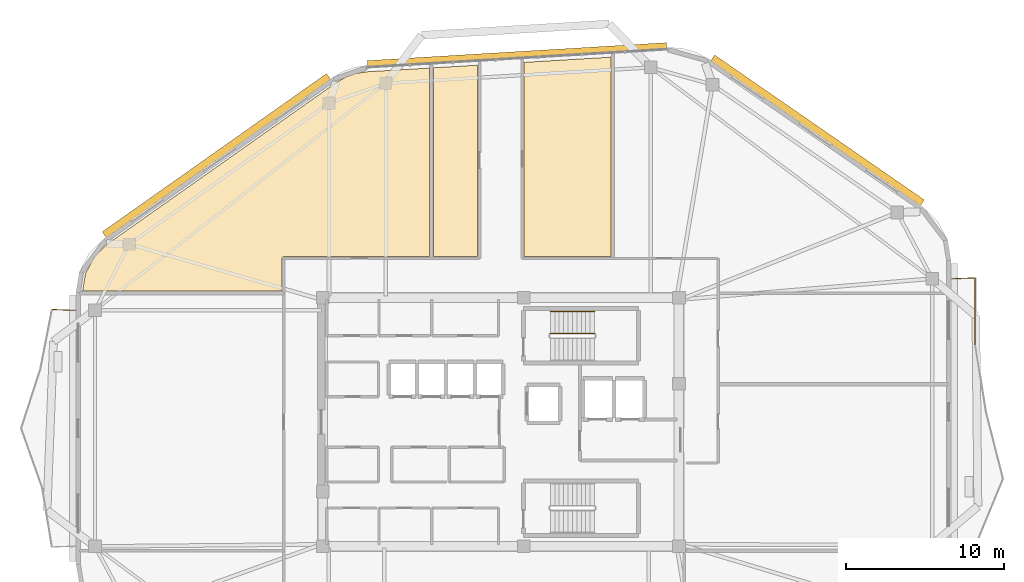
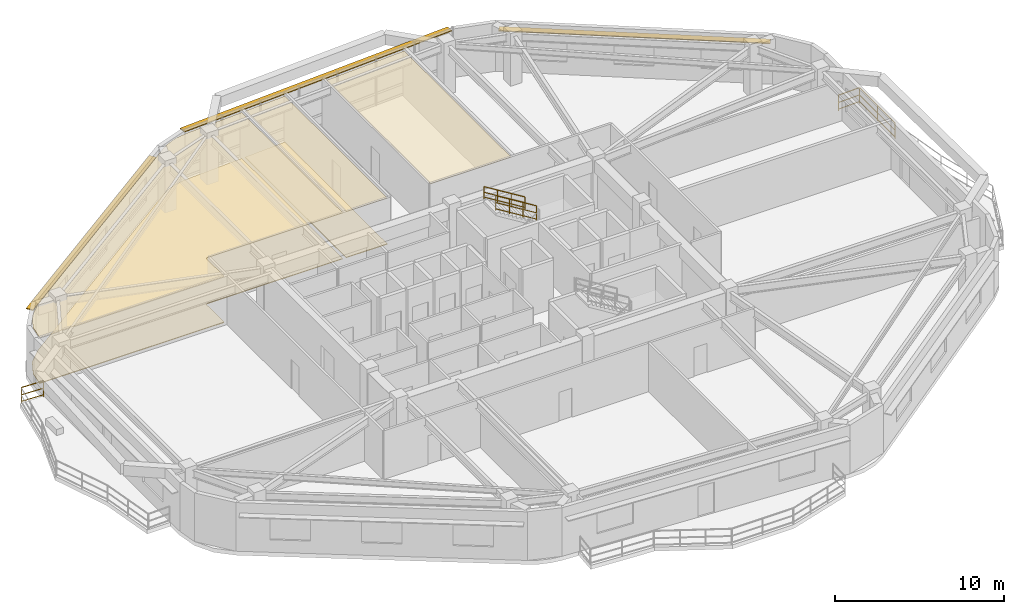
# One storey, part 12 of 12: 5 coverings, 5 railings, 3 shading devices.
"""IFC4 building model written with IfcOpenShell, lengths in metres."""

from ifc_helpers import new_model, si_unit, direction, frame, origin, origin_2d, place, context, subcontext, project, spatial, polyline, rectangle, outline, extrude, material, layer, layer_set, type_object, element, save


model = new_model("IFC4")

# Units and contexts
model_context = context("Model", 3, precision=1e-05, world=origin(), true_north=direction((0.0, 1.0)))
body_context = subcontext(model_context, "Body", "Model", "MODEL_VIEW")
ifc_project = project(units=[si_unit("LENGTHUNIT", "METRE"), si_unit("AREAUNIT", "SQUARE_METRE"), si_unit("VOLUMEUNIT", "CUBIC_METRE"), si_unit("PLANEANGLEUNIT", "RADIAN"), si_unit("MASSUNIT", "GRAM", prefix="KILO")], contexts=[model_context])

# Site, building, storey
site_placement = place(None, origin())
site = spatial("IfcSite", under=ifc_project, at=site_placement, CompositionType="ELEMENT")
building_placement = place(site_placement, origin())
building = spatial("IfcBuilding", under=site, at=building_placement, Name="Zulverin Broadcast Headquarters", CompositionType="ELEMENT")
storey_placement = place(building_placement, frame((0.0, 0.0, 240.199951171875)))
storey = spatial("IfcBuildingStorey", under=building, at=storey_placement, Name="L61", CompositionType="ELEMENT", Elevation=240.199951171875)

# Coverings
ifc_material_1 = material(Name="Perforated pale-metal acoustic baffle ceiling", Category="aluminium")
ifc_layer_1 = layer(ifc_material_1, 0.0400390625, Name="Perforated pale-metal acoustic baffle ceiling", Category="aluminium")
ifc_layer_set_1 = layer_set([ifc_layer_1], Name="Perforated pale-metal acoustic baffle ceiling")
covering_type_1 = type_object("IfcCoveringType", Name="COV-CEIL-ACOU", PredefinedType="CEILING", material=ifc_layer_set_1)
covering_1_placement = place(storey_placement, frame((0.0, 0.0, 3.330078125)))
element("IfcCovering", 1, at=covering_1_placement, inside=storey, type_object=covering_type_1, Name="L61 Acoustic Baffle Ceiling 01", PredefinedType="CEILING", context=body_context, shape_type="SweptSolid", body=[
    extrude(outline(polyline([(12.092041015625, 36.468017578125), (11.22802734375, 35.6240234375), (10.69189453125, 34.580078125), (10.51611328125, 33.5), (23.132080078125, 33.5), (23.132080078125, 35.552001953125), (23.132080078125, 35.56396484375), (23.135986328125, 35.575927734375), (23.135986328125, 35.587890625), (23.139892578125, 35.595947265625), (23.14794921875, 35.60791015625), (23.152099609375, 35.6201171875), (23.159912109375, 35.6279296875), (23.16796875, 35.635986328125), (23.176025390625, 35.64404296875), (23.18408203125, 35.652099609375), (23.196044921875, 35.656005859375), (23.2080078125, 35.6640625), (23.216064453125, 35.66796875), (23.22802734375, 35.66796875), (23.239990234375, 35.672119140625), (23.251953125, 35.672119140625), (32.47998046875, 35.672119140625), (32.47998046875, 47.60791015625), (28.52392578125, 47.3720703125), (27.827880859375, 47.26806640625), (27.18798828125, 47.0400390625), (26.575927734375, 46.69189453125), (12.092041015625, 36.468017578125)])), origin(), (0.0, 0.0, 1.0), 0.0400390625),
])
covering_2_placement = place(storey_placement, frame((0.0, 0.0, 3.330078125)))
element("IfcCovering", 2, at=covering_2_placement, inside=storey, type_object=covering_type_1, Name="L61 Acoustic Baffle Ceiling 02", PredefinedType="CEILING", context=body_context, shape_type="SweptSolid", body=[
    extrude(outline(polyline([(35.531982421875, 35.672119140625), (35.531982421875, 47.7919921875), (32.719970703125, 47.6240234375), (32.719970703125, 35.672119140625), (35.531982421875, 35.672119140625)])), origin(), (0.0, 0.0, 1.0), 0.0400390625),
])
covering_3_placement = place(storey_placement, frame((0.0, 0.0, 3.330078125)))
element("IfcCovering", 3, at=covering_3_placement, inside=storey, type_object=covering_type_1, Name="L61 Acoustic Baffle Ceiling 03", PredefinedType="CEILING", context=body_context, shape_type="SweptSolid", body=[
    extrude(outline(polyline([(38.471923828125, 47.968017578125), (38.471923828125, 35.672119140625), (43.97998046875, 35.672119140625), (43.97998046875, 48.300048828125), (38.471923828125, 47.968017578125)])), origin(), (0.0, 0.0, 1.0), 0.0400390625),
])
ifc_material_2 = material(Name="Anti-static broadcast raised access flooring", Category="stone")
ifc_layer_2 = layer(ifc_material_2, 0.050048828125, Name="Anti-static broadcast raised access flooring", Category="stone")
ifc_layer_set_2 = layer_set([ifc_layer_2], Name="Anti-static broadcast raised access flooring")
covering_type_2 = type_object("IfcCoveringType", Name="COV-FLR-RAISED", PredefinedType="FLOORING", material=ifc_layer_set_2)
covering_4_placement = place(storey_placement, origin())
element("IfcCovering", 4, at=covering_4_placement, inside=storey, type_object=covering_type_2, Name="L61 Broadcast Raised Access Flooring 01", PredefinedType="FLOORING", context=body_context, shape_type="SweptSolid", body=[
    extrude(outline(polyline([(12.092041015625, 36.468017578125), (11.22802734375, 35.6240234375), (10.69189453125, 34.580078125), (10.51611328125, 33.5), (23.132080078125, 33.5), (23.132080078125, 35.552001953125), (23.132080078125, 35.56396484375), (23.135986328125, 35.575927734375), (23.135986328125, 35.587890625), (23.139892578125, 35.595947265625), (23.14794921875, 35.60791015625), (23.152099609375, 35.6201171875), (23.159912109375, 35.6279296875), (23.16796875, 35.635986328125), (23.176025390625, 35.64404296875), (23.18408203125, 35.652099609375), (23.196044921875, 35.656005859375), (23.2080078125, 35.6640625), (23.216064453125, 35.66796875), (23.22802734375, 35.66796875), (23.239990234375, 35.672119140625), (23.251953125, 35.672119140625), (32.47998046875, 35.672119140625), (32.47998046875, 47.60791015625), (28.52392578125, 47.3720703125), (27.827880859375, 47.26806640625), (27.18798828125, 47.0400390625), (26.575927734375, 46.69189453125), (12.092041015625, 36.468017578125)])), origin(), (0.0, 0.0, 1.0), 0.050048828125),
])
covering_5_placement = place(storey_placement, origin())
element("IfcCovering", 5, at=covering_5_placement, inside=storey, type_object=covering_type_2, Name="L61 Broadcast Raised Access Flooring 02", PredefinedType="FLOORING", context=body_context, shape_type="SweptSolid", body=[
    extrude(outline(polyline([(35.531982421875, 35.672119140625), (35.531982421875, 47.7919921875), (32.719970703125, 47.6240234375), (32.719970703125, 35.672119140625), (35.531982421875, 35.672119140625)])), origin(), (0.0, 0.0, 1.0), 0.050048828125),
])

# Railings
ifc_material_3 = material(Name="Brushed stainless steel & laminated glass balustrade", Category="steel")
railing_type_1 = type_object("IfcRailingType", Name="RL-GUARD-1150", PredefinedType="GUARDRAIL", material=ifc_material_3)
railing_1_placement = place(storey_placement, frame((67.02001953125, 30.0986328125, 0.0)))
element("IfcRailing", 6, at=railing_1_placement, inside=storey, type_object=railing_type_1, Name="L61 Vertical-Forest Balcony Guardrail BAL_E Segment 05", PredefinedType="GUARDRAIL", context=body_context, shape_type="SweptSolid", body=[
    extrude(rectangle(XDim=0.048095703125, YDim=0.048095703125, at=origin_2d()), frame((0.0, 0.0, 1.1259765625), z_axis=(0.0, 1.0, 0.0), x_axis=(-1.0, 0.0, 0.0)), (0.0, 0.0, 1.0), 4.212158203125),
    extrude(rectangle(XDim=0.0419921875, YDim=0.0419921875, at=origin_2d()), frame((0.0, 0.0, 0.597900390625), z_axis=(0.0, 1.0, 0.0), x_axis=(-1.0, 0.0, 0.0)), (0.0, 0.0, 1.0), 4.212158203125),
    extrude(rectangle(XDim=0.0419921875, YDim=0.0419921875, at=origin_2d()), frame((0.0, 0.0, 0.1201171875), z_axis=(0.0, 1.0, 0.0), x_axis=(-1.0, 0.0, 0.0)), (0.0, 0.0, 1.0), 4.212158203125),
    extrude(rectangle(XDim=0.0419921875, YDim=0.0419921875, at=origin_2d()), origin(), (0.0, 0.0, 1.0), 1.101806640625),
    extrude(rectangle(XDim=0.0419921875, YDim=0.0419921875, at=origin_2d()), frame((0.0, 2.10595703125, 0.0)), (0.0, 0.0, 1.0), 1.101806640625),
    extrude(rectangle(XDim=0.0419921875, YDim=0.0419921875, at=origin_2d()), frame((0.0, 4.212158203125, 0.0)), (0.0, 0.0, 1.0), 1.101806640625),
])
railing_2_placement = place(storey_placement, frame((67.0048828125, 34.3251953125, 0.0)))
element("IfcRailing", 7, at=railing_2_placement, inside=storey, type_object=railing_type_1, Name="L61 Vertical-Forest Balcony Guardrail BAL_E Segment 06", PredefinedType="GUARDRAIL", context=body_context, shape_type="SweptSolid", body=[
    extrude(rectangle(XDim=0.048095703125, YDim=0.048095703125, at=origin_2d()), frame((0.0, 0.0, 1.1259765625), z_axis=(-0.999174135318, -0.040633081503, 0.0), x_axis=(0.040633081503, -0.999174135318, 0.0)), (0.0, 0.0, 1.0), 1.466064453125),
    extrude(rectangle(XDim=0.0419921875, YDim=0.0419921875, at=origin_2d()), frame((0.0, 0.0, 0.597900390625), z_axis=(-0.999174135318, -0.040633081503, 0.0), x_axis=(0.040633081503, -0.999174135318, 0.0)), (0.0, 0.0, 1.0), 1.466064453125),
    extrude(rectangle(XDim=0.0419921875, YDim=0.0419921875, at=origin_2d()), frame((0.0, 0.0, 0.1201171875), z_axis=(-0.999174135318, -0.040633081503, 0.0), x_axis=(0.040633081503, -0.999174135318, 0.0)), (0.0, 0.0, 1.0), 1.466064453125),
    extrude(rectangle(XDim=0.0419921875, YDim=0.0419921875, at=origin_2d()), origin(), (0.0, 0.0, 1.0), 1.101806640625),
    extrude(rectangle(XDim=0.0419921875, YDim=0.0419921875, at=origin_2d()), frame((-1.46484375, -0.0595703125, 0.0)), (0.0, 0.0, 1.0), 1.101806640625),
])
railing_3_placement = place(storey_placement, frame((10.06005859375, 32.265380859375, 0.0)))
element("IfcRailing", 8, at=railing_3_placement, inside=storey, type_object=railing_type_1, Name="L61 Vertical-Forest Balcony Guardrail BAL_W Segment 01", PredefinedType="GUARDRAIL", context=body_context, shape_type="SweptSolid", body=[
    extrude(rectangle(XDim=0.048095703125, YDim=0.048095703125, at=origin_2d()), frame((0.0, 0.0, 1.1259765625), z_axis=(-0.999181155166, 0.040460093435, 0.0), x_axis=(-0.040460093435, -0.999181155166, 0.0)), (0.0, 0.0, 1.0), 1.46630859375),
    extrude(rectangle(XDim=0.0419921875, YDim=0.0419921875, at=origin_2d()), frame((0.0, 0.0, 0.597900390625), z_axis=(-0.999181155166, 0.040460093435, 0.0), x_axis=(-0.040460093435, -0.999181155166, 0.0)), (0.0, 0.0, 1.0), 1.46630859375),
    extrude(rectangle(XDim=0.0419921875, YDim=0.0419921875, at=origin_2d()), frame((0.0, 0.0, 0.1201171875), z_axis=(-0.999181155166, 0.040460093435, 0.0), x_axis=(-0.040460093435, -0.999181155166, 0.0)), (0.0, 0.0, 1.0), 1.46630859375),
    extrude(rectangle(XDim=0.0419921875, YDim=0.0419921875, at=origin_2d()), origin(), (0.0, 0.0, 1.0), 1.101806640625),
    extrude(rectangle(XDim=0.0419921875, YDim=0.0419921875, at=origin_2d()), frame((-1.465087890625, 0.059326171875, 0.0)), (0.0, 0.0, 1.0), 1.101806640625),
])
ifc_material_4 = material(Name="Painted galvanized steel tubular guardrail S355JR", Category="steel")
railing_type_2 = type_object("IfcRailingType", Name="RL-ST-GUARD", PredefinedType="GUARDRAIL", material=ifc_material_4)
railing_4_placement = place(storey_placement, frame((42.929931640625, 30.800048828125, 2.07275390625)))
element("IfcRailing", 9, at=railing_4_placement, inside=storey, type_object=railing_type_2, Name="L61 ST-1 stair guard 3", PredefinedType="GUARDRAIL", context=body_context, shape_type="SweptSolid", body=[
    extrude(rectangle(XDim=0.048095703125, YDim=0.048095703125, at=origin_2d()), frame((0.0, 0.0, 1.076171875), z_axis=(-0.851089632645, 0.0, 0.525020415988), x_axis=(0.0, -1.0, 0.0)), (0.0, 0.0, 1.0), 3.2900390625),
    extrude(rectangle(XDim=0.0419921875, YDim=0.0419921875, at=origin_2d()), frame((0.0, 0.0, 0.572021484375), z_axis=(-0.851089632645, 0.0, 0.525020415988), x_axis=(0.0, -1.0, 0.0)), (0.0, 0.0, 1.0), 3.2900390625),
    extrude(rectangle(XDim=0.0419921875, YDim=0.0419921875, at=origin_2d()), frame((0.0, 0.0, 0.1201171875), z_axis=(-0.851089632645, 0.0, 0.525020415988), x_axis=(0.0, -1.0, 0.0)), (0.0, 0.0, 1.0), 3.2900390625),
    extrude(rectangle(XDim=0.0419921875, YDim=0.0419921875, at=origin_2d()), origin(), (0.0, 0.0, 1.0), 1.052001953125),
    extrude(rectangle(XDim=0.0419921875, YDim=0.0419921875, at=origin_2d()), frame((-0.933349609375, 0.0, 0.57568359375)), (0.0, 0.0, 1.0), 1.052001953125),
    extrude(rectangle(XDim=0.0419921875, YDim=0.0419921875, at=origin_2d()), frame((-1.86669921875, 0.0, 1.151611328125)), (0.0, 0.0, 1.0), 1.052001953125),
    extrude(rectangle(XDim=0.0419921875, YDim=0.0419921875, at=origin_2d()), frame((-2.800048828125, 0.0, 1.727294921875)), (0.0, 0.0, 1.0), 1.052001953125),
])
ifc_material_5 = material(Name="Brushed stainless steel 48 mm handrail", Category="steel")
railing_type_3 = type_object("IfcRailingType", Name="RL-ST-HAND", PredefinedType="HANDRAIL", material=ifc_material_5)
railing_5_placement = place(storey_placement, frame((42.929931640625, 32.199951171875, 2.07275390625)))
element("IfcRailing", 10, at=railing_5_placement, inside=storey, type_object=railing_type_3, Name="L61 ST-1 stair handrail 2", PredefinedType="HANDRAIL", context=body_context, shape_type="SweptSolid", body=[
    extrude(rectangle(XDim=0.048095703125, YDim=0.048095703125, at=origin_2d()), frame((0.0, 0.0, 0.8759765625), z_axis=(-0.851089632645, 0.0, 0.525020415988), x_axis=(0.0, -1.0, 0.0)), (0.0, 0.0, 1.0), 3.2900390625),
    extrude(rectangle(XDim=0.0419921875, YDim=0.0419921875, at=origin_2d()), frame((0.0, 0.0, 0.468017578125), z_axis=(-0.851089632645, 0.0, 0.525020415988), x_axis=(0.0, -1.0, 0.0)), (0.0, 0.0, 1.0), 3.2900390625),
    extrude(rectangle(XDim=0.0419921875, YDim=0.0419921875, at=origin_2d()), frame((0.0, 0.0, 0.1201171875), z_axis=(-0.851089632645, 0.0, 0.525020415988), x_axis=(0.0, -1.0, 0.0)), (0.0, 0.0, 1.0), 3.2900390625),
    extrude(rectangle(XDim=0.0419921875, YDim=0.0419921875, at=origin_2d()), origin(), (0.0, 0.0, 1.0), 0.851806640625),
    extrude(rectangle(XDim=0.0419921875, YDim=0.0419921875, at=origin_2d()), frame((-0.933349609375, 0.0, 0.57568359375)), (0.0, 0.0, 1.0), 0.851806640625),
    extrude(rectangle(XDim=0.0419921875, YDim=0.0419921875, at=origin_2d()), frame((-1.86669921875, 0.0, 1.151611328125)), (0.0, 0.0, 1.0), 0.851806640625),
    extrude(rectangle(XDim=0.0419921875, YDim=0.0419921875, at=origin_2d()), frame((-2.800048828125, 0.0, 1.727294921875)), (0.0, 0.0, 1.0), 0.851806640625),
])

# Shading devices
ifc_material_6 = material(Name="Anodized pale-metal aluminium sunshade", Category="aluminium")
ifc_layer_3 = layer(ifc_material_6, 0.06005859375, Name="Anodized pale-metal aluminium sunshade", Category="aluminium")
ifc_layer_set_3 = layer_set([ifc_layer_3], Name="Anodized pale-metal aluminium sunshade")
shading_device_type = type_object("IfcShadingDeviceType", Name="SS-01_PALE_METAL_ALUMINIUM_SUNSHADE", PredefinedType="USERDEFINED", material=ifc_layer_set_3)
shading_device_1_placement = place(storey_placement, frame((57.04638671875, 43.66162109375, 2.7099609375), z_axis=(0.0, 0.0, 1.0), x_axis=(-0.822655402653, 0.568540313861, 0.0)))
element("IfcShadingDevice", 11, at=shading_device_1_placement, inside=storey, type_object=shading_device_type, Name="L61 Horizontal Pale-Metal Sunshade Band 4", ObjectType="SUNSHADE", PredefinedType="USERDEFINED", context=body_context, shape_type="SweptSolid", body=[
    extrude(rectangle(XDim=16.1279296875, YDim=0.449951171875, at=origin_2d()), origin(), (0.0, 0.0, 1.0), 0.06005859375),
])
shading_device_2_placement = place(storey_placement, frame((38.014404296875, 48.42236328125, 3.280029296875), z_axis=(0.0, 0.0, 1.0), x_axis=(-0.99820257679, -0.059930090026, 0.0)))
element("IfcShadingDevice", 12, at=shading_device_2_placement, inside=storey, type_object=shading_device_type, Name="L61 Pale-Metal Horizontal Sunshade Band CW-L61-E5", ObjectType="SUNSHADE", PredefinedType="USERDEFINED", context=body_context, shape_type="SweptSolid", body=[
    extrude(rectangle(XDim=18.970703125, YDim=0.449951171875, at=origin_2d()), origin(), (0.0, 0.0, 1.0), 0.06005859375),
])
shading_device_3_placement = place(storey_placement, frame((18.98388671875, 42.064453125, 2.7099609375), z_axis=(0.0, 0.0, 1.0), x_axis=(-0.817023146348, -0.576604871929, 0.0)))
element("IfcShadingDevice", 13, at=shading_device_3_placement, inside=storey, type_object=shading_device_type, Name="L61 Horizontal Pale-Metal Sunshade Band 6", ObjectType="SUNSHADE", PredefinedType="USERDEFINED", context=body_context, shape_type="SweptSolid", body=[
    extrude(rectangle(XDim=17.3798828125, YDim=0.449951171875, at=origin_2d()), origin(), (0.0, 0.0, 1.0), 0.06005859375),
])

save(model, "model.ifc")
